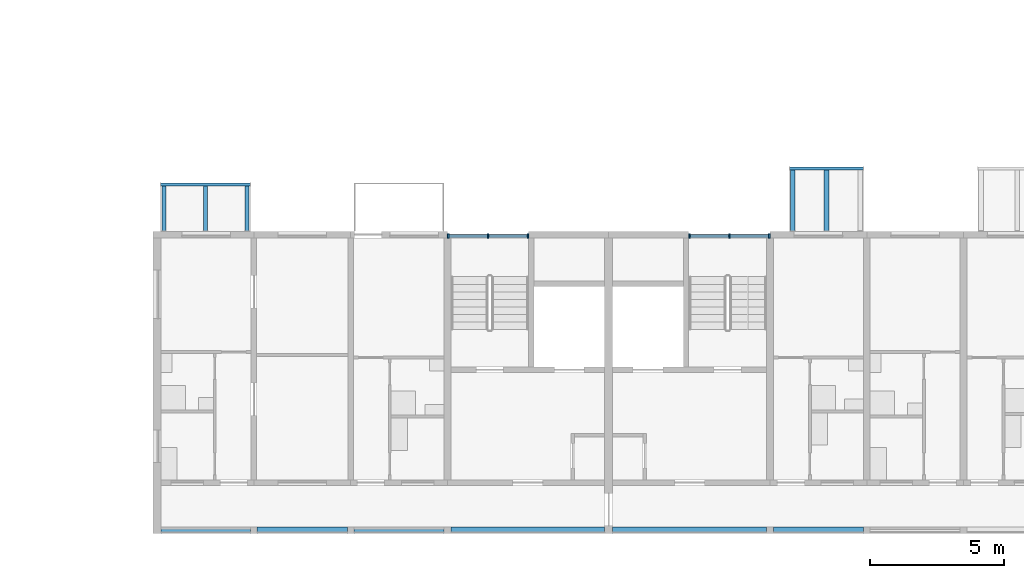
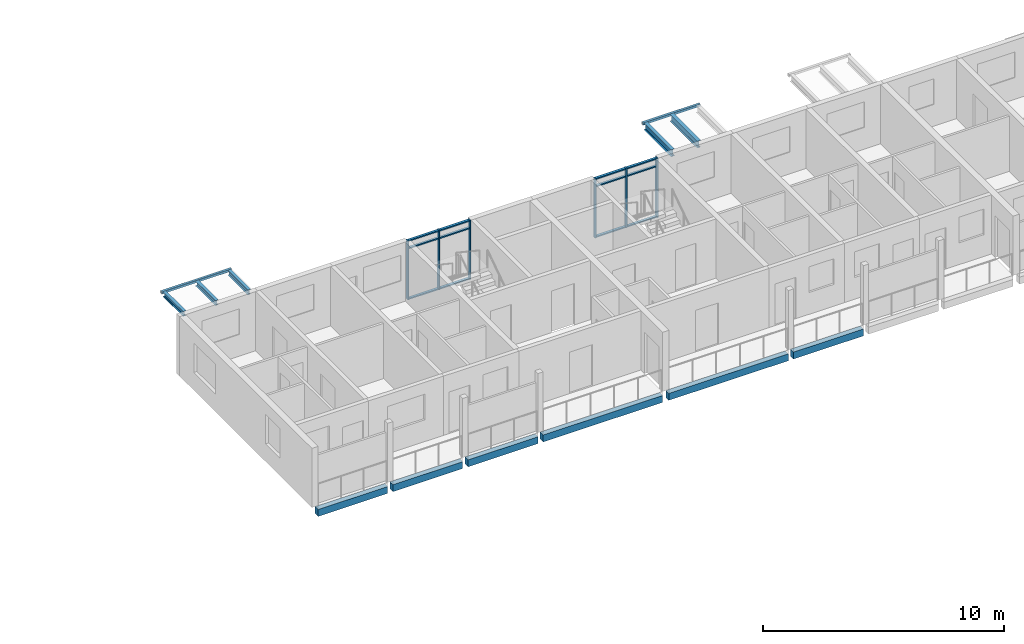
# One storey, part 14 of 98: 18 members, 13 beams, 2 elements without a shape of their own.
"""IFC4 building model written with IfcOpenShell, lengths in metres."""

from ifc_helpers import new_model, si_unit, direction, frame, origin, origin_2d, place, context, subcontext, project, spatial, rectangle, hollow_rectangle, i_section, extrude, material, material_profile, profile_set, type_object, element, aggregate, save


model = new_model("IFC4")

# Units and contexts
model_context = context("Model", 3, precision=1e-05, world=origin(), true_north=direction((0.0, 1.0)))
body_context = subcontext(model_context, "Body", "Model", "MODEL_VIEW")
ifc_project = project(units=[si_unit("LENGTHUNIT", "METRE"), si_unit("AREAUNIT", "SQUARE_METRE"), si_unit("VOLUMEUNIT", "CUBIC_METRE"), si_unit("PLANEANGLEUNIT", "RADIAN"), si_unit("MASSUNIT", "GRAM", prefix="KILO")], contexts=[model_context])

# Site, building, storey
site_placement = place(None, origin())
site = spatial("IfcSite", under=ifc_project, at=site_placement, CompositionType="ELEMENT")
building_placement = place(site_placement, origin())
building = spatial("IfcBuilding", under=site, at=building_placement, Name="Ridgestep Commons", CompositionType="ELEMENT")
storey_placement = place(building_placement, frame((0.0, 0.0, 12.0)))
storey = spatial("IfcBuildingStorey", under=building, at=storey_placement, Name="L04", CompositionType="ELEMENT", Elevation=12.0)

# Beams
ifc_material_1 = material(Name="Precast concrete C40/50", Category="concrete")
ifc_material_profile_1 = material_profile(ifc_material_1, rectangle(XDim=0.25, YDim=0.35009765625, at=origin_2d()), Name="PC 250x350")
ifc_profile_set_1 = profile_set([ifc_material_profile_1], Name="Precast concrete C40/50")
beam_type_1 = type_object("IfcBeamType", Name="Loggia edge beam 250 x 350", PredefinedType="SPANDREL", material=ifc_profile_set_1)
beam_1_placement = place(storey_placement, frame((146.949951171875, 11.875, -0.375), z_axis=(1.0, 0.0, 0.0), x_axis=(0.0, 1.0, 0.0)))
element("IfcBeam", 1, at=beam_1_placement, inside=storey, type_object=beam_type_1, Name="Loggia edge beam D1T1 L04", PredefinedType="SPANDREL", context=body_context, shape_type="SweptSolid", body=[
    extrude(rectangle(XDim=0.25, YDim=0.35009765625, at=origin_2d()), origin(), (0.0, 0.0, 1.0), 3.324951171875),
])
for number, where, z_axis, x_axis, name in (
    (2, (150.52490234375, 11.875, -0.375), (1.0, 0.0, 0.0), (0.0, 1.0, 0.0), "Loggia edge beam D1T2 L04"),
    (3, (154.125, 11.875, -0.375), (1.0, 0.0, 0.0), (0.0, 1.0, 0.0), "Loggia edge beam D1T3 L04"),
):
    element("IfcBeam", number, at=place(storey_placement, frame(where, z_axis=z_axis, x_axis=x_axis)), inside=storey, type_object=beam_type_1, Name=name, PredefinedType="SPANDREL", context=body_context, shape_type="SweptSolid", body=[
        extrude(rectangle(XDim=0.25, YDim=0.35009765625, at=origin_2d()), origin(), (0.0, 0.0, 1.0), 3.35009765625),
    ])
beam_2_placement = place(storey_placement, frame((157.72509765625, 11.875, -0.375), z_axis=(1.0, 0.0, 0.0), x_axis=(0.0, 1.0, 0.0)))
element("IfcBeam", 4, at=beam_2_placement, inside=storey, type_object=beam_type_1, Name="Loggia edge beam D1C L04", PredefinedType="SPANDREL", context=body_context, shape_type="SweptSolid", body=[
    extrude(rectangle(XDim=0.25, YDim=0.35009765625, at=origin_2d()), origin(), (0.0, 0.0, 1.0), 5.724853515625),
])
beam_3_placement = place(storey_placement, frame((163.75, 11.875, -0.375), z_axis=(1.0, 0.0, 0.0), x_axis=(0.0, 1.0, 0.0)))
element("IfcBeam", 5, at=beam_3_placement, inside=storey, type_object=beam_type_1, Name="Loggia edge beam D2C L04", PredefinedType="SPANDREL", context=body_context, shape_type="SweptSolid", body=[
    extrude(rectangle(XDim=0.25, YDim=0.35009765625, at=origin_2d()), origin(), (0.0, 0.0, 1.0), 5.72509765625),
])
beam_4_placement = place(storey_placement, frame((169.72509765625, 11.875, -0.375), z_axis=(1.0, 0.0, 0.0), x_axis=(0.0, 1.0, 0.0)))
element("IfcBeam", 6, at=beam_4_placement, inside=storey, type_object=beam_type_1, Name="Loggia edge beam D2T3 L04", PredefinedType="SPANDREL", context=body_context, shape_type="SweptSolid", body=[
    extrude(rectangle(XDim=0.25, YDim=0.35009765625, at=origin_2d()), origin(), (0.0, 0.0, 1.0), 3.349853515625),
])

# Curtain wall, members
ifc_material_2 = material(Name="Aluminium 6063-T6 and glass", Category="aluminium")
curtain_wall_type = type_object("IfcCurtainWallType", Name="Curtain wall stair strip", PredefinedType="NOTDEFINED", material=ifc_material_2)
curtain_wall_1_placement = place(storey_placement, origin())
curtain_wall_1 = element("IfcCurtainWall", 7, at=curtain_wall_1_placement, inside=storey, type_object=curtain_wall_type, Name="Curtain wall D1C level 04", PredefinedType="NOTDEFINED")
ifc_material_3 = material(Name="Aluminium 6063-T6", Category="aluminium")
ifc_material_profile_2 = material_profile(ifc_material_3, rectangle(XDim=0.159912109375, YDim=0.06005859375, at=origin_2d()), Name="Mullion 60 x 160")
ifc_profile_set_2 = profile_set([ifc_material_profile_2], Name="Aluminium 6063-T6")
member_type_1 = type_object("IfcMemberType", Name="Mullion 60 x 160", PredefinedType="MULLION", material=ifc_profile_set_2)
member_1_placement = place(storey_placement, frame((157.6298828125, 22.830078125, 0.0), z_axis=(0.0, 0.0, 1.0), x_axis=(0.0, 1.0, 0.0)))
member_1 = element("IfcMember", 8, at=member_1_placement, type_object=member_type_1, Name="CW1 mullion 1", PredefinedType="MULLION", context=body_context, shape_type="SweptSolid", body=[
    extrude(rectangle(XDim=0.159912109375, YDim=0.06005859375, at=origin_2d()), origin(), (0.0, 0.0, 1.0), 3.0),
])
member_2_placement = place(storey_placement, frame((159.112548828125, 22.830078125, 0.0), z_axis=(0.0, 0.0, 1.0), x_axis=(0.0, 1.0, 0.0)))
member_2 = element("IfcMember", 9, at=member_2_placement, type_object=member_type_1, Name="CW1 mullion 2", PredefinedType="MULLION", context=body_context, shape_type="SweptSolid", body=[
    extrude(rectangle(XDim=0.159912109375, YDim=0.06005859375, at=origin_2d()), origin(), (0.0, 0.0, 1.0), 3.0),
])
member_3_placement = place(storey_placement, frame((160.594970703125, 22.830078125, 0.0), z_axis=(0.0, 0.0, 1.0), x_axis=(0.0, 1.0, 0.0)))
member_3 = element("IfcMember", 10, at=member_3_placement, type_object=member_type_1, Name="CW1 mullion 3", PredefinedType="MULLION", context=body_context, shape_type="SweptSolid", body=[
    extrude(rectangle(XDim=0.159912109375, YDim=0.06005859375, at=origin_2d()), origin(), (0.0, 0.0, 1.0), 3.0),
])

curtain_wall_2_placement = place(storey_placement, origin())
curtain_wall_2 = element("IfcCurtainWall", 11, at=curtain_wall_2_placement, inside=storey, type_object=curtain_wall_type, Name="Curtain wall D2C level 04", PredefinedType="NOTDEFINED")
member_4_placement = place(storey_placement, frame((166.60498046875, 22.830078125, 0.0), z_axis=(0.0, 0.0, 1.0), x_axis=(0.0, 1.0, 0.0)))
member_4 = element("IfcMember", 12, at=member_4_placement, type_object=member_type_1, Name="CW1 mullion 1", PredefinedType="MULLION", context=body_context, shape_type="SweptSolid", body=[
    extrude(rectangle(XDim=0.159912109375, YDim=0.06005859375, at=origin_2d()), origin(), (0.0, 0.0, 1.0), 3.0),
])
member_5_placement = place(storey_placement, frame((168.08740234375, 22.830078125, 0.0), z_axis=(0.0, 0.0, 1.0), x_axis=(0.0, 1.0, 0.0)))
member_5 = element("IfcMember", 13, at=member_5_placement, type_object=member_type_1, Name="CW1 mullion 2", PredefinedType="MULLION", context=body_context, shape_type="SweptSolid", body=[
    extrude(rectangle(XDim=0.159912109375, YDim=0.06005859375, at=origin_2d()), origin(), (0.0, 0.0, 1.0), 3.0),
])
member_6_placement = place(storey_placement, frame((169.570068359375, 22.830078125, 0.0), z_axis=(0.0, 0.0, 1.0), x_axis=(0.0, 1.0, 0.0)))
member_6 = element("IfcMember", 14, at=member_6_placement, type_object=member_type_1, Name="CW1 mullion 3", PredefinedType="MULLION", context=body_context, shape_type="SweptSolid", body=[
    extrude(rectangle(XDim=0.159912109375, YDim=0.06005859375, at=origin_2d()), origin(), (0.0, 0.0, 1.0), 3.0),
])

# Member
ifc_material_4 = material(Name="Aluminium 6063-T6", Category="aluminium")
ifc_material_profile_3 = material_profile(ifc_material_4, rectangle(XDim=0.1201171875, YDim=0.06005859375, at=origin_2d()), Name="Transom 60 x 120")
ifc_profile_set_3 = profile_set([ifc_material_profile_3], Name="Aluminium 6063-T6")
member_type_2 = type_object("IfcMemberType", Name="Transom 60 x 120", PredefinedType="USERDEFINED", material=ifc_profile_set_3)
member_7_placement = place(storey_placement, frame((157.659912109375, 22.830078125, 0.030029296875), z_axis=(1.0, 0.0, 0.0), x_axis=(0.0, 1.0, 0.0)))
member_7 = element("IfcMember", 15, at=member_7_placement, type_object=member_type_2, Name="CW1 transom 1.1", ObjectType="TRANSOM", PredefinedType="USERDEFINED", context=body_context, shape_type="SweptSolid", body=[
    extrude(rectangle(XDim=0.1201171875, YDim=0.06005859375, at=origin_2d()), origin(), (0.0, 0.0, 1.0), 1.422607421875),
])

member_8_placement = place(storey_placement, frame((157.659912109375, 22.830078125, 2.590087890625), z_axis=(1.0, 0.0, 0.0), x_axis=(0.0, 1.0, 0.0)))
member_8 = element("IfcMember", 16, at=member_8_placement, type_object=member_type_2, Name="CW1 transom 1.2", ObjectType="TRANSOM", PredefinedType="USERDEFINED", context=body_context, shape_type="SweptSolid", body=[
    extrude(rectangle(XDim=0.1201171875, YDim=0.06005859375, at=origin_2d()), origin(), (0.0, 0.0, 1.0), 1.422607421875),
])

member_9_placement = place(storey_placement, frame((157.659912109375, 22.830078125, 2.969970703125), z_axis=(1.0, 0.0, 0.0), x_axis=(0.0, 1.0, 0.0)))
member_9 = element("IfcMember", 17, at=member_9_placement, type_object=member_type_2, Name="CW1 transom 1.3", ObjectType="TRANSOM", PredefinedType="USERDEFINED", context=body_context, shape_type="SweptSolid", body=[
    extrude(rectangle(XDim=0.1201171875, YDim=0.06005859375, at=origin_2d()), origin(), (0.0, 0.0, 1.0), 1.422607421875),
])

member_10_placement = place(storey_placement, frame((159.142578125, 22.830078125, 0.030029296875), z_axis=(1.0, 0.0, 0.0), x_axis=(0.0, 1.0, 0.0)))
member_10 = element("IfcMember", 18, at=member_10_placement, type_object=member_type_2, Name="CW1 transom 2.1", ObjectType="TRANSOM", PredefinedType="USERDEFINED", context=body_context, shape_type="SweptSolid", body=[
    extrude(rectangle(XDim=0.1201171875, YDim=0.06005859375, at=origin_2d()), origin(), (0.0, 0.0, 1.0), 1.42236328125),
])

member_11_placement = place(storey_placement, frame((159.142578125, 22.830078125, 2.590087890625), z_axis=(1.0, 0.0, 0.0), x_axis=(0.0, 1.0, 0.0)))
member_11 = element("IfcMember", 19, at=member_11_placement, type_object=member_type_2, Name="CW1 transom 2.2", ObjectType="TRANSOM", PredefinedType="USERDEFINED", context=body_context, shape_type="SweptSolid", body=[
    extrude(rectangle(XDim=0.1201171875, YDim=0.06005859375, at=origin_2d()), origin(), (0.0, 0.0, 1.0), 1.42236328125),
])

member_12_placement = place(storey_placement, frame((159.142578125, 22.830078125, 2.969970703125), z_axis=(1.0, 0.0, 0.0), x_axis=(0.0, 1.0, 0.0)))
member_12 = element("IfcMember", 20, at=member_12_placement, type_object=member_type_2, Name="CW1 transom 2.3", ObjectType="TRANSOM", PredefinedType="USERDEFINED", context=body_context, shape_type="SweptSolid", body=[
    extrude(rectangle(XDim=0.1201171875, YDim=0.06005859375, at=origin_2d()), origin(), (0.0, 0.0, 1.0), 1.42236328125),
])

aggregate(curtain_wall_1, [member_1, member_2, member_3, member_7, member_8, member_9, member_10, member_11, member_12])

member_13_placement = place(storey_placement, frame((166.635009765625, 22.830078125, 0.030029296875), z_axis=(1.0, 0.0, 0.0), x_axis=(0.0, 1.0, 0.0)))
member_13 = element("IfcMember", 21, at=member_13_placement, type_object=member_type_2, Name="CW1 transom 1.1", ObjectType="TRANSOM", PredefinedType="USERDEFINED", context=body_context, shape_type="SweptSolid", body=[
    extrude(rectangle(XDim=0.1201171875, YDim=0.06005859375, at=origin_2d()), origin(), (0.0, 0.0, 1.0), 1.422607421875),
])

member_14_placement = place(storey_placement, frame((166.635009765625, 22.830078125, 2.590087890625), z_axis=(1.0, 0.0, 0.0), x_axis=(0.0, 1.0, 0.0)))
member_14 = element("IfcMember", 22, at=member_14_placement, type_object=member_type_2, Name="CW1 transom 1.2", ObjectType="TRANSOM", PredefinedType="USERDEFINED", context=body_context, shape_type="SweptSolid", body=[
    extrude(rectangle(XDim=0.1201171875, YDim=0.06005859375, at=origin_2d()), origin(), (0.0, 0.0, 1.0), 1.422607421875),
])

member_15_placement = place(storey_placement, frame((166.635009765625, 22.830078125, 2.969970703125), z_axis=(1.0, 0.0, 0.0), x_axis=(0.0, 1.0, 0.0)))
member_15 = element("IfcMember", 23, at=member_15_placement, type_object=member_type_2, Name="CW1 transom 1.3", ObjectType="TRANSOM", PredefinedType="USERDEFINED", context=body_context, shape_type="SweptSolid", body=[
    extrude(rectangle(XDim=0.1201171875, YDim=0.06005859375, at=origin_2d()), origin(), (0.0, 0.0, 1.0), 1.422607421875),
])

member_16_placement = place(storey_placement, frame((168.117431640625, 22.830078125, 0.030029296875), z_axis=(1.0, 0.0, 0.0), x_axis=(0.0, 1.0, 0.0)))
member_16 = element("IfcMember", 24, at=member_16_placement, type_object=member_type_2, Name="CW1 transom 2.1", ObjectType="TRANSOM", PredefinedType="USERDEFINED", context=body_context, shape_type="SweptSolid", body=[
    extrude(rectangle(XDim=0.1201171875, YDim=0.06005859375, at=origin_2d()), origin(), (0.0, 0.0, 1.0), 1.422607421875),
])

member_17_placement = place(storey_placement, frame((168.117431640625, 22.830078125, 2.590087890625), z_axis=(1.0, 0.0, 0.0), x_axis=(0.0, 1.0, 0.0)))
member_17 = element("IfcMember", 25, at=member_17_placement, type_object=member_type_2, Name="CW1 transom 2.2", ObjectType="TRANSOM", PredefinedType="USERDEFINED", context=body_context, shape_type="SweptSolid", body=[
    extrude(rectangle(XDim=0.1201171875, YDim=0.06005859375, at=origin_2d()), origin(), (0.0, 0.0, 1.0), 1.422607421875),
])

member_18_placement = place(storey_placement, frame((168.117431640625, 22.830078125, 2.969970703125), z_axis=(1.0, 0.0, 0.0), x_axis=(0.0, 1.0, 0.0)))
member_18 = element("IfcMember", 26, at=member_18_placement, type_object=member_type_2, Name="CW1 transom 2.3", ObjectType="TRANSOM", PredefinedType="USERDEFINED", context=body_context, shape_type="SweptSolid", body=[
    extrude(rectangle(XDim=0.1201171875, YDim=0.06005859375, at=origin_2d()), origin(), (0.0, 0.0, 1.0), 1.422607421875),
])

aggregate(curtain_wall_2, [member_4, member_5, member_6, member_13, member_14, member_15, member_16, member_17, member_18])

# Beams
ifc_material_5 = material(Name="Weathering steel S355J2W", Category="steel")
ifc_material_profile_4 = material_profile(ifc_material_5, i_section(OverallWidth=0.14599609375, OverallDepth=0.25146484375, WebThickness=0.006103515625, FlangeThickness=0.008544921875, FilletRadius=0.007568359375, at=origin_2d()), Name="UB 254x146x31")
ifc_profile_set_4 = profile_set([ifc_material_profile_4], Name="Weathering steel S355J2W")
beam_type_2 = type_object("IfcBeamType", Name="Tray arm UB 254x146x31", PredefinedType="BEAM", material=ifc_profile_set_4)
for number, where, z_axis, x_axis, name in (
    (27, (147.050048828125, 23.014892578125, 2.8642578125), (0.0, 1.0, 0.0), (-1.0, 0.0, 0.0), "Tray arm D1T1-05.1"),
    (28, (148.60009765625, 23.014892578125, 2.8642578125), (0.0, 1.0, 0.0), (-1.0, 0.0, 0.0), "Tray arm D1T1-05.2"),
    (29, (150.14990234375, 23.014892578125, 2.8642578125), (0.0, 1.0, 0.0), (-1.0, 0.0, 0.0), "Tray arm D1T1-05.3"),
):
    element("IfcBeam", number, at=place(storey_placement, frame(where, z_axis=z_axis, x_axis=x_axis)), inside=storey, type_object=beam_type_2, Name=name, PredefinedType="BEAM", context=body_context, shape_type="SweptSolid", body=[
        extrude(i_section(OverallWidth=0.14599609375, OverallDepth=0.25146484375, WebThickness=0.006103515625, FlangeThickness=0.008544921875, FilletRadius=0.007568359375, at=origin_2d()), origin(), (0.0, 0.0, 1.0), 1.6650390625),
    ])
ifc_material_6 = material(Name="Weathering steel S355J2W", Category="steel")
ifc_material_profile_5 = material_profile(ifc_material_6, i_section(OverallWidth=0.171142578125, OverallDepth=0.351318359375, WebThickness=0.007080078125, FlangeThickness=0.009765625, FilletRadius=0.01025390625, at=origin_2d()), Name="UB 356x171x45")
ifc_profile_set_5 = profile_set([ifc_material_profile_5], Name="Weathering steel S355J2W")
beam_type_3 = type_object("IfcBeamType", Name="Tray arm UB 356x171x45", PredefinedType="BEAM", material=ifc_profile_set_5)
for number, where, z_axis, x_axis, name in (
    (30, (170.449951171875, 23.014892578125, 2.814208984375), (0.0, 1.0, 0.0), (-1.0, 0.0, 0.0), "Tray arm D2T3-05.1"),
    (31, (171.699951171875, 23.014892578125, 2.814208984375), (0.0, 1.0, 0.0), (-1.0, 0.0, 0.0), "Tray arm D2T3-05.2"),
):
    element("IfcBeam", number, at=place(storey_placement, frame(where, z_axis=z_axis, x_axis=x_axis)), inside=storey, type_object=beam_type_3, Name=name, PredefinedType="BEAM", context=body_context, shape_type="SweptSolid", body=[
        extrude(i_section(OverallWidth=0.171142578125, OverallDepth=0.351318359375, WebThickness=0.007080078125, FlangeThickness=0.009765625, FilletRadius=0.01025390625, at=origin_2d()), origin(), (0.0, 0.0, 1.0), 2.26513671875),
    ])
ifc_material_7 = material(Name="Weathering steel S355J2W", Category="steel")
ifc_material_profile_6 = material_profile(ifc_material_7, hollow_rectangle(XDim=0.1201171875, YDim=0.1201171875, WallThickness=0.00634765625, InnerFilletRadius=0.00634765625, OuterFilletRadius=0.009521484375, at=origin_2d()), Name="SHS 120x120x6.3")
ifc_profile_set_6 = profile_set([ifc_material_profile_6], Name="Weathering steel S355J2W")
beam_type_4 = type_object("IfcBeamType", Name="Tray edge member SHS 120x120x6.3", PredefinedType="BEAM", material=ifc_profile_set_6)
beam_5_placement = place(storey_placement, frame((146.929931640625, 24.739990234375, 2.929931640625), z_axis=(1.0, 0.0, 0.0), x_axis=(0.0, 0.0, 1.0)))
element("IfcBeam", 32, at=beam_5_placement, inside=storey, type_object=beam_type_4, Name="Tray edge member D1T1-05", PredefinedType="BEAM", context=body_context, shape_type="SweptSolid", body=[
    extrude(hollow_rectangle(XDim=0.1201171875, YDim=0.1201171875, WallThickness=0.00634765625, InnerFilletRadius=0.00634765625, OuterFilletRadius=0.009521484375, at=origin_2d()), origin(), (0.0, 0.0, 1.0), 3.340087890625),
])
beam_6_placement = place(storey_placement, frame((170.330078125, 25.340087890625, 2.929931640625), z_axis=(1.0, 0.0, 0.0), x_axis=(0.0, 0.0, 1.0)))
element("IfcBeam", 33, at=beam_6_placement, inside=storey, type_object=beam_type_4, Name="Tray edge member D2T3-05", PredefinedType="BEAM", context=body_context, shape_type="SweptSolid", body=[
    extrude(hollow_rectangle(XDim=0.1201171875, YDim=0.1201171875, WallThickness=0.00634765625, InnerFilletRadius=0.00634765625, OuterFilletRadius=0.009521484375, at=origin_2d()), origin(), (0.0, 0.0, 1.0), 2.739990234375),
])

save(model, "model.ifc")
